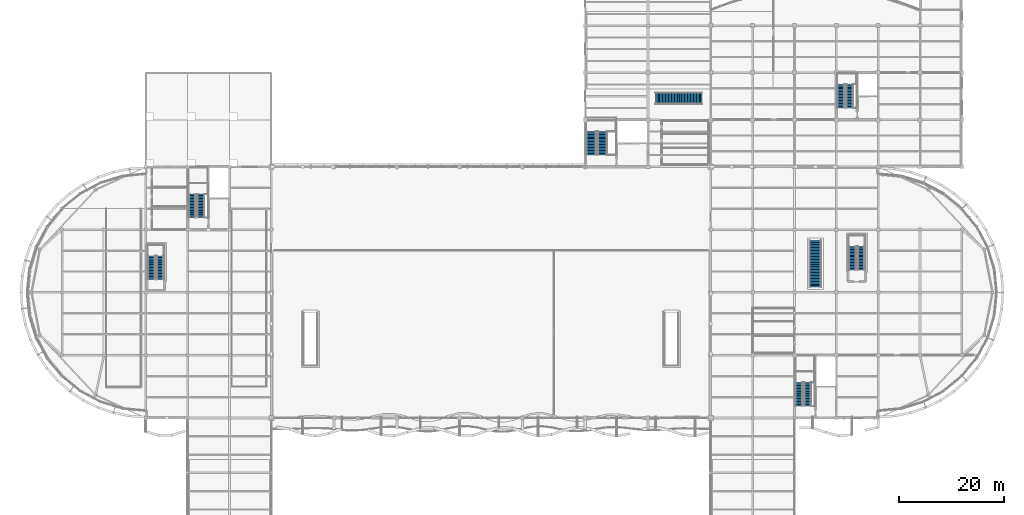
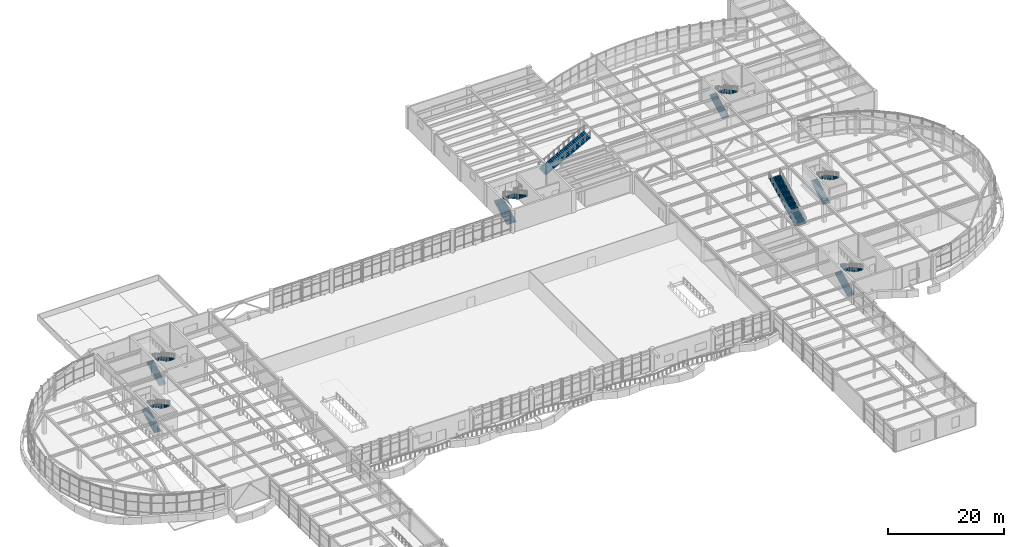
# One storey, part 56 of 72: 14 stair flights, 8 elements without a shape of their own.
"""IFC4 building model written with IfcOpenShell, lengths in metres."""

from ifc_helpers import new_model, si_unit, direction, frame, origin, place, context, subcontext, project, spatial, polyline, outline, extrude, material, type_object, element, aggregate, save


model = new_model("IFC4")

# Units and contexts
model_context = context("Model", 3, precision=1e-05, world=origin(), true_north=direction((0.0, 1.0)))
body_context = subcontext(model_context, "Body", "Model", "MODEL_VIEW")
ifc_project = project(units=[si_unit("LENGTHUNIT", "METRE"), si_unit("AREAUNIT", "SQUARE_METRE"), si_unit("VOLUMEUNIT", "CUBIC_METRE"), si_unit("PLANEANGLEUNIT", "RADIAN"), si_unit("MASSUNIT", "GRAM", prefix="KILO")], contexts=[model_context])

# Site, building, storey
site_placement = place(None, origin())
site = spatial("IfcSite", under=ifc_project, at=site_placement, CompositionType="ELEMENT")
building_placement = place(site_placement, origin())
building = spatial("IfcBuilding", under=site, at=building_placement, Name="Keelwater Ferry Terminal", CompositionType="ELEMENT")
storey_placement = place(building_placement, frame((0.0, 0.0, 5.39990234375)))
storey = spatial("IfcBuildingStorey", under=building, at=storey_placement, Name="L01", CompositionType="ELEMENT", Elevation=5.39990234375)

# Stair, stair flights
ifc_material_1 = material(Name="Concrete C40/50", Category="concrete")
stair_type_1 = type_object("IfcStairType", Name="ST-T02 Half-Turn Stair 1350W 32R", PredefinedType="HALF_TURN_STAIR", material=ifc_material_1)
stair_1_placement = place(storey_placement, origin())
stair_1 = element("IfcStair", 1, at=stair_1_placement, inside=storey, type_object=stair_type_1, Name="Half-Turn Stair ST-C1-L01", PredefinedType="HALF_TURN_STAIR")
ifc_material_2 = material(Name="Concrete C40/50", Category="concrete")
stair_flight_type_1 = type_object("IfcStairFlightType", Name="FL-T02 Straight Flight 1350W 32R", PredefinedType="STRAIGHT", material=ifc_material_2)
stair_flight_1_placement = place(storey_placement, frame((32.875, 80.300048828125, 0.0), z_axis=(0.0, 0.0, 1.0), x_axis=(0.0, 1.0, 0.0)))
stair_flight_1 = element("IfcStairFlight", 2, at=stair_flight_1_placement, type_object=stair_flight_type_1, Name="ST-C1-L01 flight 1", NumberOfRisers=16, NumberOfTreads=15, PredefinedType="STRAIGHT", RiserHeight=0.15, TreadLength=0.28, context=body_context, shape_type="SweptSolid", body=[
    extrude(outline(polyline([(0.0, 0.0), (0.0, 0.14990234375), (0.280029296875, 0.14990234375), (0.280029296875, 0.300048828125), (0.56005859375, 0.300048828125), (0.56005859375, 0.449951171875), (0.840087890625, 0.449951171875), (0.840087890625, 0.60009765625), (1.1201171875, 0.60009765625), (1.1201171875, 0.75), (1.39990234375, 0.75), (1.39990234375, 0.89990234375), (1.679931640625, 0.89990234375), (1.679931640625, 1.050048828125), (1.9599609375, 1.050048828125), (1.9599609375, 1.199951171875), (2.239990234375, 1.199951171875), (2.239990234375, 1.35009765625), (2.52001953125, 1.35009765625), (2.52001953125, 1.5), (2.800048828125, 1.5), (2.800048828125, 1.64990234375), (3.080078125, 1.64990234375), (3.080078125, 1.800048828125), (3.360107421875, 1.800048828125), (3.360107421875, 1.949951171875), (3.639892578125, 1.949951171875), (3.639892578125, 2.10009765625), (3.919921875, 2.10009765625), (3.919921875, 2.25), (4.199951171875, 2.25), (4.199951171875, 2.39990234375), (4.47998046875, 2.39990234375), (4.47998046875, 2.19580078125), (0.381103515625, 0.0), (0.0, 0.0)])), frame((0.0, 0.675048828125, 0.0), z_axis=(0.0, -1.0, 0.0), x_axis=(1.0, 0.0, 0.0)), (0.0, 0.0, 1.0), 1.35009765625),
])
stair_flight_2_placement = place(storey_placement, frame((34.56494140625, 84.780029296875, 2.400146484375), z_axis=(0.0, 0.0, 1.0), x_axis=(0.0, -1.0, 0.0)))
stair_flight_2 = element("IfcStairFlight", 3, at=stair_flight_2_placement, type_object=stair_flight_type_1, Name="ST-C1-L01 flight 2", NumberOfRisers=16, NumberOfTreads=15, PredefinedType="STRAIGHT", RiserHeight=0.15, TreadLength=0.28, context=body_context, shape_type="SweptSolid", body=[
    extrude(outline(polyline([(0.0, 0.0), (0.0, 0.14990234375), (0.280029296875, 0.14990234375), (0.280029296875, 0.300048828125), (0.56005859375, 0.300048828125), (0.56005859375, 0.449951171875), (0.840087890625, 0.449951171875), (0.840087890625, 0.60009765625), (1.1201171875, 0.60009765625), (1.1201171875, 0.75), (1.39990234375, 0.75), (1.39990234375, 0.89990234375), (1.679931640625, 0.89990234375), (1.679931640625, 1.050048828125), (1.9599609375, 1.050048828125), (1.9599609375, 1.199951171875), (2.239990234375, 1.199951171875), (2.239990234375, 1.35009765625), (2.52001953125, 1.35009765625), (2.52001953125, 1.5), (2.800048828125, 1.5), (2.800048828125, 1.64990234375), (3.080078125, 1.64990234375), (3.080078125, 1.800048828125), (3.360107421875, 1.800048828125), (3.360107421875, 1.949951171875), (3.639892578125, 1.949951171875), (3.639892578125, 2.10009765625), (3.919921875, 2.10009765625), (3.919921875, 2.25), (4.199951171875, 2.25), (4.199951171875, 2.39990234375), (4.47998046875, 2.39990234375), (4.47998046875, 2.19580078125), (0.381103515625, 0.0), (0.0, 0.0)])), frame((0.0, 0.675048828125, 0.0), z_axis=(0.0, -1.0, 0.0), x_axis=(1.0, 0.0, 0.0)), (0.0, 0.0, 1.0), 1.35009765625),
])
aggregate(stair_1, [stair_flight_1, stair_flight_2])

stair_2_placement = place(storey_placement, origin())
stair_2 = element("IfcStair", 4, at=stair_2_placement, inside=storey, type_object=stair_type_1, Name="Half-Turn Stair ST-C3-L01", PredefinedType="HALF_TURN_STAIR")
stair_flight_3_placement = place(storey_placement, frame((156.875, 101.300048828125, 0.0), z_axis=(0.0, 0.0, 1.0), x_axis=(0.0, 1.0, 0.0)))
stair_flight_3 = element("IfcStairFlight", 5, at=stair_flight_3_placement, type_object=stair_flight_type_1, Name="ST-C3-L01 flight 1", NumberOfRisers=16, NumberOfTreads=15, PredefinedType="STRAIGHT", RiserHeight=0.15, TreadLength=0.28, context=body_context, shape_type="SweptSolid", body=[
    extrude(outline(polyline([(0.0, 0.0), (0.0, 0.14990234375), (0.280029296875, 0.14990234375), (0.280029296875, 0.300048828125), (0.56005859375, 0.300048828125), (0.56005859375, 0.449951171875), (0.840087890625, 0.449951171875), (0.840087890625, 0.60009765625), (1.1201171875, 0.60009765625), (1.1201171875, 0.75), (1.39990234375, 0.75), (1.39990234375, 0.89990234375), (1.679931640625, 0.89990234375), (1.679931640625, 1.050048828125), (1.9599609375, 1.050048828125), (1.9599609375, 1.199951171875), (2.239990234375, 1.199951171875), (2.239990234375, 1.35009765625), (2.52001953125, 1.35009765625), (2.52001953125, 1.5), (2.800048828125, 1.5), (2.800048828125, 1.64990234375), (3.080078125, 1.64990234375), (3.080078125, 1.800048828125), (3.360107421875, 1.800048828125), (3.360107421875, 1.949951171875), (3.639892578125, 1.949951171875), (3.639892578125, 2.10009765625), (3.919921875, 2.10009765625), (3.919921875, 2.25), (4.199951171875, 2.25), (4.199951171875, 2.39990234375), (4.47998046875, 2.39990234375), (4.47998046875, 2.19580078125), (0.381103515625, 0.0), (0.0, 0.0)])), frame((0.0, 0.675048828125, 0.0), z_axis=(0.0, -1.0, 0.0), x_axis=(1.0, 0.0, 0.0)), (0.0, 0.0, 1.0), 1.35009765625),
])
stair_flight_4_placement = place(storey_placement, frame((158.56494140625, 105.780029296875, 2.400146484375), z_axis=(0.0, 0.0, 1.0), x_axis=(0.0, -1.0, 0.0)))
stair_flight_4 = element("IfcStairFlight", 6, at=stair_flight_4_placement, type_object=stair_flight_type_1, Name="ST-C3-L01 flight 2", NumberOfRisers=16, NumberOfTreads=15, PredefinedType="STRAIGHT", RiserHeight=0.15, TreadLength=0.28, context=body_context, shape_type="SweptSolid", body=[
    extrude(outline(polyline([(0.0, 0.0), (0.0, 0.14990234375), (0.280029296875, 0.14990234375), (0.280029296875, 0.300048828125), (0.56005859375, 0.300048828125), (0.56005859375, 0.449951171875), (0.840087890625, 0.449951171875), (0.840087890625, 0.60009765625), (1.1201171875, 0.60009765625), (1.1201171875, 0.75), (1.39990234375, 0.75), (1.39990234375, 0.89990234375), (1.679931640625, 0.89990234375), (1.679931640625, 1.050048828125), (1.9599609375, 1.050048828125), (1.9599609375, 1.199951171875), (2.239990234375, 1.199951171875), (2.239990234375, 1.35009765625), (2.52001953125, 1.35009765625), (2.52001953125, 1.5), (2.800048828125, 1.5), (2.800048828125, 1.64990234375), (3.080078125, 1.64990234375), (3.080078125, 1.800048828125), (3.360107421875, 1.800048828125), (3.360107421875, 1.949951171875), (3.639892578125, 1.949951171875), (3.639892578125, 2.10009765625), (3.919921875, 2.10009765625), (3.919921875, 2.25), (4.199951171875, 2.25), (4.199951171875, 2.39990234375), (4.47998046875, 2.39990234375), (4.47998046875, 2.19580078125), (0.381103515625, 0.0), (0.0, 0.0)])), frame((0.0, 0.675048828125, 0.0), z_axis=(0.0, -1.0, 0.0), x_axis=(1.0, 0.0, 0.0)), (0.0, 0.0, 1.0), 1.35009765625),
])
aggregate(stair_2, [stair_flight_3, stair_flight_4])

stair_3_placement = place(storey_placement, origin())
stair_3 = element("IfcStair", 7, at=stair_3_placement, inside=storey, type_object=stair_type_1, Name="Half-Turn Stair ST-C4-L01", PredefinedType="HALF_TURN_STAIR")
stair_flight_5_placement = place(storey_placement, frame((148.875, 44.300048828125, 0.0), z_axis=(0.0, 0.0, 1.0), x_axis=(0.0, 1.0, 0.0)))
stair_flight_5 = element("IfcStairFlight", 8, at=stair_flight_5_placement, type_object=stair_flight_type_1, Name="ST-C4-L01 flight 1", NumberOfRisers=16, NumberOfTreads=15, PredefinedType="STRAIGHT", RiserHeight=0.15, TreadLength=0.28, context=body_context, shape_type="SweptSolid", body=[
    extrude(outline(polyline([(0.0, 0.0), (0.0, 0.14990234375), (0.280029296875, 0.14990234375), (0.280029296875, 0.300048828125), (0.56005859375, 0.300048828125), (0.56005859375, 0.449951171875), (0.840087890625, 0.449951171875), (0.840087890625, 0.60009765625), (1.1201171875, 0.60009765625), (1.1201171875, 0.75), (1.39990234375, 0.75), (1.39990234375, 0.89990234375), (1.679931640625, 0.89990234375), (1.679931640625, 1.050048828125), (1.9599609375, 1.050048828125), (1.9599609375, 1.199951171875), (2.239990234375, 1.199951171875), (2.239990234375, 1.35009765625), (2.52001953125, 1.35009765625), (2.52001953125, 1.5), (2.800048828125, 1.5), (2.800048828125, 1.64990234375), (3.080078125, 1.64990234375), (3.080078125, 1.800048828125), (3.360107421875, 1.800048828125), (3.360107421875, 1.949951171875), (3.639892578125, 1.949951171875), (3.639892578125, 2.10009765625), (3.919921875, 2.10009765625), (3.919921875, 2.25), (4.199951171875, 2.25), (4.199951171875, 2.39990234375), (4.47998046875, 2.39990234375), (4.47998046875, 2.19580078125), (0.381103515625, 0.0), (0.0, 0.0)])), frame((0.0, 0.675048828125, 0.0), z_axis=(0.0, -1.0, 0.0), x_axis=(1.0, 0.0, 0.0)), (0.0, 0.0, 1.0), 1.35009765625),
])
stair_flight_6_placement = place(storey_placement, frame((150.56494140625, 48.780029296875, 2.400146484375), z_axis=(0.0, 0.0, 1.0), x_axis=(0.0, -1.0, 0.0)))
stair_flight_6 = element("IfcStairFlight", 9, at=stair_flight_6_placement, type_object=stair_flight_type_1, Name="ST-C4-L01 flight 2", NumberOfRisers=16, NumberOfTreads=15, PredefinedType="STRAIGHT", RiserHeight=0.15, TreadLength=0.28, context=body_context, shape_type="SweptSolid", body=[
    extrude(outline(polyline([(0.0, 0.0), (0.0, 0.14990234375), (0.280029296875, 0.14990234375), (0.280029296875, 0.300048828125), (0.56005859375, 0.300048828125), (0.56005859375, 0.449951171875), (0.840087890625, 0.449951171875), (0.840087890625, 0.60009765625), (1.1201171875, 0.60009765625), (1.1201171875, 0.75), (1.39990234375, 0.75), (1.39990234375, 0.89990234375), (1.679931640625, 0.89990234375), (1.679931640625, 1.050048828125), (1.9599609375, 1.050048828125), (1.9599609375, 1.199951171875), (2.239990234375, 1.199951171875), (2.239990234375, 1.35009765625), (2.52001953125, 1.35009765625), (2.52001953125, 1.5), (2.800048828125, 1.5), (2.800048828125, 1.64990234375), (3.080078125, 1.64990234375), (3.080078125, 1.800048828125), (3.360107421875, 1.800048828125), (3.360107421875, 1.949951171875), (3.639892578125, 1.949951171875), (3.639892578125, 2.10009765625), (3.919921875, 2.10009765625), (3.919921875, 2.25), (4.199951171875, 2.25), (4.199951171875, 2.39990234375), (4.47998046875, 2.39990234375), (4.47998046875, 2.19580078125), (0.381103515625, 0.0), (0.0, 0.0)])), frame((0.0, 0.675048828125, 0.0), z_axis=(0.0, -1.0, 0.0), x_axis=(1.0, 0.0, 0.0)), (0.0, 0.0, 1.0), 1.35009765625),
])
aggregate(stair_3, [stair_flight_5, stair_flight_6])

stair_4_placement = place(storey_placement, origin())
stair_4 = element("IfcStair", 10, at=stair_4_placement, inside=storey, type_object=stair_type_1, Name="Half-Turn Stair ST-E5-L01", PredefinedType="HALF_TURN_STAIR")
stair_flight_7_placement = place(storey_placement, frame((159.074951171875, 70.300048828125, 0.0), z_axis=(0.0, 0.0, 1.0), x_axis=(0.0, 1.0, 0.0)))
stair_flight_7 = element("IfcStairFlight", 11, at=stair_flight_7_placement, type_object=stair_flight_type_1, Name="ST-E5-L01 flight 1", NumberOfRisers=16, NumberOfTreads=15, PredefinedType="STRAIGHT", RiserHeight=0.15, TreadLength=0.28, context=body_context, shape_type="SweptSolid", body=[
    extrude(outline(polyline([(0.0, 0.0), (0.0, 0.14990234375), (0.280029296875, 0.14990234375), (0.280029296875, 0.300048828125), (0.56005859375, 0.300048828125), (0.56005859375, 0.449951171875), (0.840087890625, 0.449951171875), (0.840087890625, 0.60009765625), (1.1201171875, 0.60009765625), (1.1201171875, 0.75), (1.39990234375, 0.75), (1.39990234375, 0.89990234375), (1.679931640625, 0.89990234375), (1.679931640625, 1.050048828125), (1.9599609375, 1.050048828125), (1.9599609375, 1.199951171875), (2.239990234375, 1.199951171875), (2.239990234375, 1.35009765625), (2.52001953125, 1.35009765625), (2.52001953125, 1.5), (2.800048828125, 1.5), (2.800048828125, 1.64990234375), (3.080078125, 1.64990234375), (3.080078125, 1.800048828125), (3.360107421875, 1.800048828125), (3.360107421875, 1.949951171875), (3.639892578125, 1.949951171875), (3.639892578125, 2.10009765625), (3.919921875, 2.10009765625), (3.919921875, 2.25), (4.199951171875, 2.25), (4.199951171875, 2.39990234375), (4.47998046875, 2.39990234375), (4.47998046875, 2.19580078125), (0.381103515625, 0.0), (0.0, 0.0)])), frame((0.0, 0.675048828125, 0.0), z_axis=(0.0, -1.0, 0.0), x_axis=(1.0, 0.0, 0.0)), (0.0, 0.0, 1.0), 1.35009765625),
])
stair_flight_8_placement = place(storey_placement, frame((160.764892578125, 74.780029296875, 2.400146484375), z_axis=(0.0, 0.0, 1.0), x_axis=(0.0, -1.0, 0.0)))
stair_flight_8 = element("IfcStairFlight", 12, at=stair_flight_8_placement, type_object=stair_flight_type_1, Name="ST-E5-L01 flight 2", NumberOfRisers=16, NumberOfTreads=15, PredefinedType="STRAIGHT", RiserHeight=0.15, TreadLength=0.28, context=body_context, shape_type="SweptSolid", body=[
    extrude(outline(polyline([(0.0, 0.0), (0.0, 0.14990234375), (0.280029296875, 0.14990234375), (0.280029296875, 0.300048828125), (0.56005859375, 0.300048828125), (0.56005859375, 0.449951171875), (0.840087890625, 0.449951171875), (0.840087890625, 0.60009765625), (1.1201171875, 0.60009765625), (1.1201171875, 0.75), (1.39990234375, 0.75), (1.39990234375, 0.89990234375), (1.679931640625, 0.89990234375), (1.679931640625, 1.050048828125), (1.9599609375, 1.050048828125), (1.9599609375, 1.199951171875), (2.239990234375, 1.199951171875), (2.239990234375, 1.35009765625), (2.52001953125, 1.35009765625), (2.52001953125, 1.5), (2.800048828125, 1.5), (2.800048828125, 1.64990234375), (3.080078125, 1.64990234375), (3.080078125, 1.800048828125), (3.360107421875, 1.800048828125), (3.360107421875, 1.949951171875), (3.639892578125, 1.949951171875), (3.639892578125, 2.10009765625), (3.919921875, 2.10009765625), (3.919921875, 2.25), (4.199951171875, 2.25), (4.199951171875, 2.39990234375), (4.47998046875, 2.39990234375), (4.47998046875, 2.19580078125), (0.381103515625, 0.0), (0.0, 0.0)])), frame((0.0, 0.675048828125, 0.0), z_axis=(0.0, -1.0, 0.0), x_axis=(1.0, 0.0, 0.0)), (0.0, 0.0, 1.0), 1.35009765625),
])
aggregate(stair_4, [stair_flight_7, stair_flight_8])

stair_5_placement = place(storey_placement, origin())
stair_5 = element("IfcStair", 13, at=stair_5_placement, inside=storey, type_object=stair_type_1, Name="Half-Turn Stair ST-W6-L01", PredefinedType="HALF_TURN_STAIR")
stair_flight_9_placement = place(storey_placement, frame((25.074951171875, 68.5, 0.0), z_axis=(0.0, 0.0, 1.0), x_axis=(0.0, 1.0, 0.0)))
stair_flight_9 = element("IfcStairFlight", 14, at=stair_flight_9_placement, type_object=stair_flight_type_1, Name="ST-W6-L01 flight 1", NumberOfRisers=16, NumberOfTreads=15, PredefinedType="STRAIGHT", RiserHeight=0.15, TreadLength=0.28, context=body_context, shape_type="SweptSolid", body=[
    extrude(outline(polyline([(0.0, 0.0), (0.0, 0.14990234375), (0.280029296875, 0.14990234375), (0.280029296875, 0.300048828125), (0.56005859375, 0.300048828125), (0.56005859375, 0.449951171875), (0.840087890625, 0.449951171875), (0.840087890625, 0.60009765625), (1.1201171875, 0.60009765625), (1.1201171875, 0.75), (1.39990234375, 0.75), (1.39990234375, 0.89990234375), (1.679931640625, 0.89990234375), (1.679931640625, 1.050048828125), (1.9599609375, 1.050048828125), (1.9599609375, 1.199951171875), (2.239990234375, 1.199951171875), (2.239990234375, 1.35009765625), (2.52001953125, 1.35009765625), (2.52001953125, 1.5), (2.800048828125, 1.5), (2.800048828125, 1.64990234375), (3.080078125, 1.64990234375), (3.080078125, 1.800048828125), (3.360107421875, 1.800048828125), (3.360107421875, 1.949951171875), (3.639892578125, 1.949951171875), (3.639892578125, 2.10009765625), (3.919921875, 2.10009765625), (3.919921875, 2.25), (4.199951171875, 2.25), (4.199951171875, 2.39990234375), (4.47998046875, 2.39990234375), (4.47998046875, 2.19580078125), (0.381103515625, 0.0), (0.0, 0.0)])), frame((0.0, 0.675048828125, 0.0), z_axis=(0.0, -1.0, 0.0), x_axis=(1.0, 0.0, 0.0)), (0.0, 0.0, 1.0), 1.35009765625),
])
stair_flight_10_placement = place(storey_placement, frame((26.764892578125, 72.97998046875, 2.400146484375), z_axis=(0.0, 0.0, 1.0), x_axis=(0.0, -1.0, 0.0)))
stair_flight_10 = element("IfcStairFlight", 15, at=stair_flight_10_placement, type_object=stair_flight_type_1, Name="ST-W6-L01 flight 2", NumberOfRisers=16, NumberOfTreads=15, PredefinedType="STRAIGHT", RiserHeight=0.15, TreadLength=0.28, context=body_context, shape_type="SweptSolid", body=[
    extrude(outline(polyline([(0.0, 0.0), (0.0, 0.14990234375), (0.280029296875, 0.14990234375), (0.280029296875, 0.300048828125), (0.56005859375, 0.300048828125), (0.56005859375, 0.449951171875), (0.840087890625, 0.449951171875), (0.840087890625, 0.60009765625), (1.1201171875, 0.60009765625), (1.1201171875, 0.75), (1.39990234375, 0.75), (1.39990234375, 0.89990234375), (1.679931640625, 0.89990234375), (1.679931640625, 1.050048828125), (1.9599609375, 1.050048828125), (1.9599609375, 1.199951171875), (2.239990234375, 1.199951171875), (2.239990234375, 1.35009765625), (2.52001953125, 1.35009765625), (2.52001953125, 1.5), (2.800048828125, 1.5), (2.800048828125, 1.64990234375), (3.080078125, 1.64990234375), (3.080078125, 1.800048828125), (3.360107421875, 1.800048828125), (3.360107421875, 1.949951171875), (3.639892578125, 1.949951171875), (3.639892578125, 2.10009765625), (3.919921875, 2.10009765625), (3.919921875, 2.25), (4.199951171875, 2.25), (4.199951171875, 2.39990234375), (4.47998046875, 2.39990234375), (4.47998046875, 2.19580078125), (0.381103515625, 0.0), (0.0, 0.0)])), frame((0.0, 0.675048828125, 0.0), z_axis=(0.0, -1.0, 0.0), x_axis=(1.0, 0.0, 0.0)), (0.0, 0.0, 1.0), 1.35009765625),
])
aggregate(stair_5, [stair_flight_9, stair_flight_10])

ifc_material_3 = material(Name="Concrete C40/50", Category="concrete")
stair_type_2 = type_object("IfcStairType", Name="ST-T04 Half-Turn Stair 1850W 32R", PredefinedType="HALF_TURN_STAIR", material=ifc_material_3)
stair_6_placement = place(storey_placement, origin())
stair_6 = element("IfcStair", 16, at=stair_6_placement, inside=storey, type_object=stair_type_2, Name="Half-Turn Stair ST-C2-L01", PredefinedType="HALF_TURN_STAIR")
ifc_material_4 = material(Name="Concrete C40/50", Category="concrete")
stair_flight_type_2 = type_object("IfcStairFlightType", Name="FL-T04 Straight Flight 1850W 32R", PredefinedType="STRAIGHT", material=ifc_material_4)
stair_flight_11_placement = place(storey_placement, frame((109.125, 92.300048828125, 0.0), z_axis=(0.0, 0.0, 1.0), x_axis=(0.0, 1.0, 0.0)))
stair_flight_11 = element("IfcStairFlight", 17, at=stair_flight_11_placement, type_object=stair_flight_type_2, Name="ST-C2-L01 flight 1", NumberOfRisers=16, NumberOfTreads=15, PredefinedType="STRAIGHT", RiserHeight=0.15, TreadLength=0.28, context=body_context, shape_type="SweptSolid", body=[
    extrude(outline(polyline([(0.0, 0.0), (0.0, 0.14990234375), (0.280029296875, 0.14990234375), (0.280029296875, 0.300048828125), (0.56005859375, 0.300048828125), (0.56005859375, 0.449951171875), (0.840087890625, 0.449951171875), (0.840087890625, 0.60009765625), (1.1201171875, 0.60009765625), (1.1201171875, 0.75), (1.39990234375, 0.75), (1.39990234375, 0.89990234375), (1.679931640625, 0.89990234375), (1.679931640625, 1.050048828125), (1.9599609375, 1.050048828125), (1.9599609375, 1.199951171875), (2.239990234375, 1.199951171875), (2.239990234375, 1.35009765625), (2.52001953125, 1.35009765625), (2.52001953125, 1.5), (2.800048828125, 1.5), (2.800048828125, 1.64990234375), (3.080078125, 1.64990234375), (3.080078125, 1.800048828125), (3.360107421875, 1.800048828125), (3.360107421875, 1.949951171875), (3.639892578125, 1.949951171875), (3.639892578125, 2.10009765625), (3.919921875, 2.10009765625), (3.919921875, 2.25), (4.199951171875, 2.25), (4.199951171875, 2.39990234375), (4.47998046875, 2.39990234375), (4.47998046875, 2.19580078125), (0.381103515625, 0.0), (0.0, 0.0)])), frame((0.0, 0.925048828125, 0.0), z_axis=(0.0, -1.0, 0.0), x_axis=(1.0, 0.0, 0.0)), (0.0, 0.0, 1.0), 1.85009765625),
])
stair_flight_12_placement = place(storey_placement, frame((111.31494140625, 96.780029296875, 2.400146484375), z_axis=(0.0, 0.0, 1.0), x_axis=(0.0, -1.0, 0.0)))
stair_flight_12 = element("IfcStairFlight", 18, at=stair_flight_12_placement, type_object=stair_flight_type_2, Name="ST-C2-L01 flight 2", NumberOfRisers=16, NumberOfTreads=15, PredefinedType="STRAIGHT", RiserHeight=0.15, TreadLength=0.28, context=body_context, shape_type="SweptSolid", body=[
    extrude(outline(polyline([(0.0, 0.0), (0.0, 0.14990234375), (0.280029296875, 0.14990234375), (0.280029296875, 0.300048828125), (0.56005859375, 0.300048828125), (0.56005859375, 0.449951171875), (0.840087890625, 0.449951171875), (0.840087890625, 0.60009765625), (1.1201171875, 0.60009765625), (1.1201171875, 0.75), (1.39990234375, 0.75), (1.39990234375, 0.89990234375), (1.679931640625, 0.89990234375), (1.679931640625, 1.050048828125), (1.9599609375, 1.050048828125), (1.9599609375, 1.199951171875), (2.239990234375, 1.199951171875), (2.239990234375, 1.35009765625), (2.52001953125, 1.35009765625), (2.52001953125, 1.5), (2.800048828125, 1.5), (2.800048828125, 1.64990234375), (3.080078125, 1.64990234375), (3.080078125, 1.800048828125), (3.360107421875, 1.800048828125), (3.360107421875, 1.949951171875), (3.639892578125, 1.949951171875), (3.639892578125, 2.10009765625), (3.919921875, 2.10009765625), (3.919921875, 2.25), (4.199951171875, 2.25), (4.199951171875, 2.39990234375), (4.47998046875, 2.39990234375), (4.47998046875, 2.19580078125), (0.381103515625, 0.0), (0.0, 0.0)])), frame((0.0, 0.925048828125, 0.0), z_axis=(0.0, -1.0, 0.0), x_axis=(1.0, 0.0, 0.0)), (0.0, 0.0, 1.0), 1.85009765625),
])
aggregate(stair_6, [stair_flight_11, stair_flight_12])

# Stair, stair flight
ifc_material_5 = material(Name="Concrete C40/50", Category="concrete")
stair_type_3 = type_object("IfcStairType", Name="ST-T11 Straight Run Stair 2200W 32R", PredefinedType="STRAIGHT_RUN_STAIR", material=ifc_material_5)
stair_7_placement = place(storey_placement, origin())
stair_7 = element("IfcStair", 19, at=stair_7_placement, inside=storey, type_object=stair_type_3, Name="Straight Concourse Stair AS-01", PredefinedType="STRAIGHT_RUN_STAIR")
ifc_material_6 = material(Name="Concrete C40/50", Category="concrete")
stair_flight_type_3 = type_object("IfcStairFlightType", Name="FL-T11 Straight Flight 2200W 32R", PredefinedType="STRAIGHT", material=ifc_material_6)
stair_flight_13_placement = place(storey_placement, frame((152.0, 67.0, 0.0), z_axis=(0.0, 0.0, 1.0), x_axis=(0.0, 1.0, 0.0)))
stair_flight_13 = element("IfcStairFlight", 20, at=stair_flight_13_placement, type_object=stair_flight_type_3, Name="AS-01 flight 1", NumberOfRisers=32, NumberOfTreads=31, PredefinedType="STRAIGHT", RiserHeight=0.15, TreadLength=0.28, context=body_context, shape_type="SweptSolid", body=[
    extrude(outline(polyline([(0.0, 0.0), (0.0, 0.14990234375), (0.280029296875, 0.14990234375), (0.280029296875, 0.300048828125), (0.56005859375, 0.300048828125), (0.56005859375, 0.449951171875), (0.840087890625, 0.449951171875), (0.840087890625, 0.60009765625), (1.1201171875, 0.60009765625), (1.1201171875, 0.75), (1.39990234375, 0.75), (1.39990234375, 0.89990234375), (1.679931640625, 0.89990234375), (1.679931640625, 1.050048828125), (1.9599609375, 1.050048828125), (1.9599609375, 1.199951171875), (2.239990234375, 1.199951171875), (2.239990234375, 1.35009765625), (2.52001953125, 1.35009765625), (2.52001953125, 1.5), (2.800048828125, 1.5), (2.800048828125, 1.64990234375), (3.080078125, 1.64990234375), (3.080078125, 1.800048828125), (3.360107421875, 1.800048828125), (3.360107421875, 1.949951171875), (3.639892578125, 1.949951171875), (3.639892578125, 2.10009765625), (3.919921875, 2.10009765625), (3.919921875, 2.25), (4.199951171875, 2.25), (4.199951171875, 2.39990234375), (4.47998046875, 2.39990234375), (4.47998046875, 2.550048828125), (4.760009765625, 2.550048828125), (4.760009765625, 2.699951171875), (5.0400390625, 2.699951171875), (5.0400390625, 2.85009765625), (5.320068359375, 2.85009765625), (5.320068359375, 3.0), (5.60009765625, 3.0), (5.60009765625, 3.14990234375), (5.8798828125, 3.14990234375), (5.8798828125, 3.300048828125), (6.159912109375, 3.300048828125), (6.159912109375, 3.449951171875), (6.43994140625, 3.449951171875), (6.43994140625, 3.60009765625), (6.719970703125, 3.60009765625), (6.719970703125, 3.75), (7.0, 3.75), (7.0, 3.89990234375), (7.280029296875, 3.89990234375), (7.280029296875, 4.050048828125), (7.56005859375, 4.050048828125), (7.56005859375, 4.199951171875), (7.840087890625, 4.199951171875), (7.840087890625, 4.35009765625), (8.1201171875, 4.35009765625), (8.1201171875, 4.5), (8.39990234375, 4.5), (8.39990234375, 4.64990234375), (8.679931640625, 4.64990234375), (8.679931640625, 4.800048828125), (8.9599609375, 4.800048828125), (8.9599609375, 4.5732421875), (0.42333984375, 0.0), (0.0, 0.0)])), frame((0.0, 1.10009765625, 0.0), z_axis=(0.0, -1.0, 0.0), x_axis=(1.0, 0.0, 0.0)), (0.0, 0.0, 1.0), 2.199951171875),
])
aggregate(stair_7, [stair_flight_13])

stair_8_placement = place(storey_placement, origin())
stair_8 = element("IfcStair", 21, at=stair_8_placement, inside=storey, type_object=stair_type_3, Name="Straight Concourse Stair AS-02", PredefinedType="STRAIGHT_RUN_STAIR")
stair_flight_14_placement = place(storey_placement, frame((121.39990234375, 103.10009765625, 0.0), z_axis=(0.0, 0.0, 1.0), x_axis=(1.0, 0.0, 0.0)))
stair_flight_14 = element("IfcStairFlight", 22, at=stair_flight_14_placement, type_object=stair_flight_type_3, Name="AS-02 flight 1", NumberOfRisers=32, NumberOfTreads=31, PredefinedType="STRAIGHT", RiserHeight=0.15, TreadLength=0.28, context=body_context, shape_type="SweptSolid", body=[
    extrude(outline(polyline([(0.0, 0.0), (0.0, 0.14990234375), (0.280029296875, 0.14990234375), (0.280029296875, 0.300048828125), (0.56005859375, 0.300048828125), (0.56005859375, 0.449951171875), (0.840087890625, 0.449951171875), (0.840087890625, 0.60009765625), (1.1201171875, 0.60009765625), (1.1201171875, 0.75), (1.39990234375, 0.75), (1.39990234375, 0.89990234375), (1.679931640625, 0.89990234375), (1.679931640625, 1.050048828125), (1.9599609375, 1.050048828125), (1.9599609375, 1.199951171875), (2.239990234375, 1.199951171875), (2.239990234375, 1.35009765625), (2.52001953125, 1.35009765625), (2.52001953125, 1.5), (2.800048828125, 1.5), (2.800048828125, 1.64990234375), (3.080078125, 1.64990234375), (3.080078125, 1.800048828125), (3.360107421875, 1.800048828125), (3.360107421875, 1.949951171875), (3.639892578125, 1.949951171875), (3.639892578125, 2.10009765625), (3.919921875, 2.10009765625), (3.919921875, 2.25), (4.199951171875, 2.25), (4.199951171875, 2.39990234375), (4.47998046875, 2.39990234375), (4.47998046875, 2.550048828125), (4.760009765625, 2.550048828125), (4.760009765625, 2.699951171875), (5.0400390625, 2.699951171875), (5.0400390625, 2.85009765625), (5.320068359375, 2.85009765625), (5.320068359375, 3.0), (5.60009765625, 3.0), (5.60009765625, 3.14990234375), (5.8798828125, 3.14990234375), (5.8798828125, 3.300048828125), (6.159912109375, 3.300048828125), (6.159912109375, 3.449951171875), (6.43994140625, 3.449951171875), (6.43994140625, 3.60009765625), (6.719970703125, 3.60009765625), (6.719970703125, 3.75), (7.0, 3.75), (7.0, 3.89990234375), (7.280029296875, 3.89990234375), (7.280029296875, 4.050048828125), (7.56005859375, 4.050048828125), (7.56005859375, 4.199951171875), (7.840087890625, 4.199951171875), (7.840087890625, 4.35009765625), (8.1201171875, 4.35009765625), (8.1201171875, 4.5), (8.39990234375, 4.5), (8.39990234375, 4.64990234375), (8.679931640625, 4.64990234375), (8.679931640625, 4.800048828125), (8.9599609375, 4.800048828125), (8.9599609375, 4.5732421875), (0.42333984375, 0.0), (0.0, 0.0)])), frame((0.0, 1.10009765625, 0.0), z_axis=(0.0, -1.0, 0.0), x_axis=(1.0, 0.0, 0.0)), (0.0, 0.0, 1.0), 2.199951171875),
])
aggregate(stair_8, [stair_flight_14])

save(model, "model.ifc")
